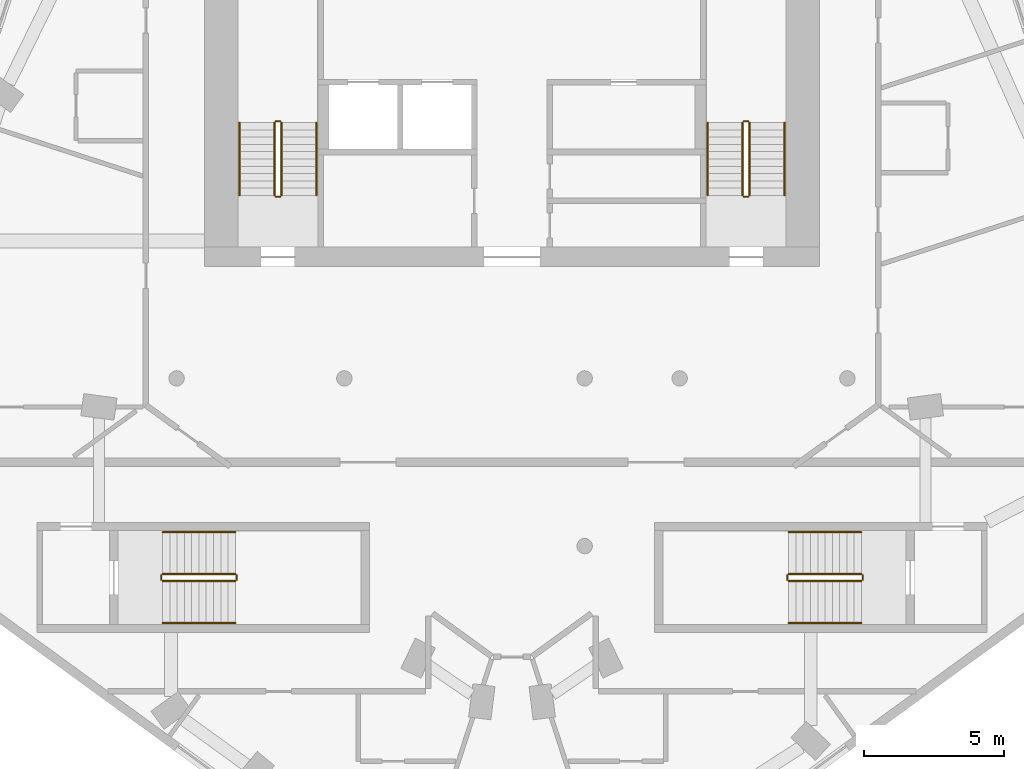
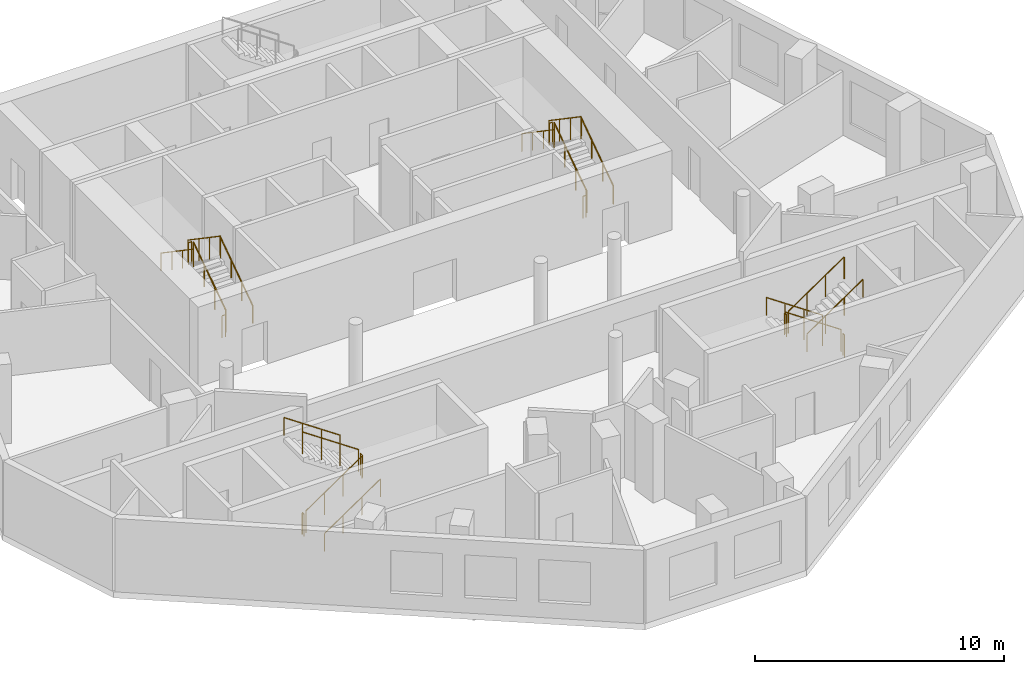
# One storey, part 7 of 8: 24 railings.
"""IFC4 building model written with IfcOpenShell, lengths in metres."""

from ifc_helpers import new_model, si_unit, direction, frame, origin, origin_2d, place, context, subcontext, project, spatial, circle, extrude, material, type_object, element, save


model = new_model("IFC4")

# Units and contexts
model_context = context("Model", 3, precision=1e-05, world=origin(), true_north=direction((0.0, 1.0)))
body_context = subcontext(model_context, "Body", "Model", "MODEL_VIEW")
ifc_project = project(units=[si_unit("LENGTHUNIT", "METRE"), si_unit("AREAUNIT", "SQUARE_METRE"), si_unit("VOLUMEUNIT", "CUBIC_METRE"), si_unit("PLANEANGLEUNIT", "RADIAN"), si_unit("MASSUNIT", "GRAM", prefix="KILO")], contexts=[model_context])

# Site, building, storey
site_placement = place(None, origin())
site = spatial("IfcSite", under=ifc_project, at=site_placement, CompositionType="ELEMENT")
building_placement = place(site_placement, origin())
building = spatial("IfcBuilding", under=site, at=building_placement, Name="White Candle Pilgrim Tower", CompositionType="ELEMENT")
storey_placement = place(building_placement, frame((0.0, 0.0, 291.199951171875)))
storey = spatial("IfcBuildingStorey", under=building, at=storey_placement, Name="L69", CompositionType="ELEMENT", Elevation=291.199951171875)

# Railings
ifc_material = material(Name="Stainless steel", Category="steel")
railing_type_1 = type_object("IfcRailingType", Name="Stair guard stainless steel 1100 mm", PredefinedType="GUARDRAIL", material=ifc_material)
railing_1_placement = place(storey_placement, frame((61.75, 73.550048828125, 0.17724609375)))
element("IfcRailing", 1, at=railing_1_placement, inside=storey, type_object=railing_type_1, Name="L69 ST1 stair guard 1", PredefinedType="GUARDRAIL", context=body_context, shape_type="SweptSolid", body=[
    extrude(circle(Radius=0.02392578125, at=origin_2d()), frame((0.0, 0.0, 1.076171875), z_axis=(0.0, 0.826215852431, 0.563353676824), x_axis=(-1.0, 0.0, 0.0)), (0.0, 0.0, 1.0), 3.146728515625),
    extrude(circle(Radius=0.02099609375, at=origin_2d()), origin(), (0.0, 0.0, 1.0), 1.052001953125),
    extrude(circle(Radius=0.02099609375, at=origin_2d()), frame((0.0, 0.86669921875, 0.5908203125)), (0.0, 0.0, 1.0), 1.052001953125),
    extrude(circle(Radius=0.02099609375, at=origin_2d()), frame((0.0, 1.733154296875, 1.181884765625)), (0.0, 0.0, 1.0), 1.052001953125),
    extrude(circle(Radius=0.02099609375, at=origin_2d()), frame((0.0, 2.599853515625, 1.772705078125)), (0.0, 0.0, 1.0), 1.052001953125),
])
railing_2_placement = place(storey_placement, frame((61.699951171875, 76.199951171875, 1.949951171875)))
element("IfcRailing", 2, at=railing_2_placement, inside=storey, type_object=railing_type_1, Name="L69 ST1 stair guard 2", PredefinedType="GUARDRAIL", context=body_context, shape_type="SweptSolid", body=[
    extrude(circle(Radius=0.02392578125, at=origin_2d()), frame((0.0, 0.0, 1.076171875), z_axis=(-1.0, 0.0, 0.0), x_axis=(0.0, -1.0, 0.0)), (0.0, 0.0, 1.0), 0.14990234375),
    extrude(circle(Radius=0.02099609375, at=origin_2d()), origin(), (0.0, 0.0, 1.0), 1.052001953125),
    extrude(circle(Radius=0.02099609375, at=origin_2d()), frame((-0.14990234375, 0.0, 0.0)), (0.0, 0.0, 1.0), 1.052001953125),
])
railing_3_placement = place(storey_placement, frame((61.5, 76.14990234375, 2.12744140625)))
element("IfcRailing", 3, at=railing_3_placement, inside=storey, type_object=railing_type_1, Name="L69 ST1 stair guard 3", PredefinedType="GUARDRAIL", context=body_context, shape_type="SweptSolid", body=[
    extrude(circle(Radius=0.02392578125, at=origin_2d()), frame((0.0, 0.0, 1.076171875), z_axis=(0.0, -0.826215852431, 0.563353676824), x_axis=(1.0, 0.0, 0.0)), (0.0, 0.0, 1.0), 3.146728515625),
    extrude(circle(Radius=0.02099609375, at=origin_2d()), origin(), (0.0, 0.0, 1.0), 1.052001953125),
    extrude(circle(Radius=0.02099609375, at=origin_2d()), frame((0.0, -0.86669921875, 0.5908203125)), (0.0, 0.0, 1.0), 1.052001953125),
    extrude(circle(Radius=0.02099609375, at=origin_2d()), frame((0.0, -1.733154296875, 1.181884765625)), (0.0, 0.0, 1.0), 1.052001953125),
    extrude(circle(Radius=0.02099609375, at=origin_2d()), frame((0.0, -2.599853515625, 1.772705078125)), (0.0, 0.0, 1.0), 1.052001953125),
])
railing_4_placement = place(storey_placement, frame((61.699951171875, 73.5, 0.0)))
element("IfcRailing", 4, at=railing_4_placement, inside=storey, type_object=railing_type_1, Name="L69 ST1 stair guard 4", PredefinedType="GUARDRAIL", context=body_context, shape_type="SweptSolid", body=[
    extrude(circle(Radius=0.02392578125, at=origin_2d()), frame((0.0, 0.0, 1.076171875), z_axis=(-1.0, 0.0, 0.0), x_axis=(0.0, -1.0, 0.0)), (0.0, 0.0, 1.0), 0.14990234375),
    extrude(circle(Radius=0.02099609375, at=origin_2d()), origin(), (0.0, 0.0, 1.0), 1.052001953125),
    extrude(circle(Radius=0.02099609375, at=origin_2d()), frame((-0.14990234375, 0.0, 0.0)), (0.0, 0.0, 1.0), 1.052001953125),
])
railing_5_placement = place(storey_placement, frame((78.5, 73.550048828125, 0.17724609375)))
element("IfcRailing", 5, at=railing_5_placement, inside=storey, type_object=railing_type_1, Name="L69 ST2 stair guard 1", PredefinedType="GUARDRAIL", context=body_context, shape_type="SweptSolid", body=[
    extrude(circle(Radius=0.02392578125, at=origin_2d()), frame((0.0, 0.0, 1.076171875), z_axis=(0.0, 0.826215852431, 0.563353676824), x_axis=(-1.0, 0.0, 0.0)), (0.0, 0.0, 1.0), 3.146728515625),
    extrude(circle(Radius=0.02099609375, at=origin_2d()), origin(), (0.0, 0.0, 1.0), 1.052001953125),
    extrude(circle(Radius=0.02099609375, at=origin_2d()), frame((0.0, 0.86669921875, 0.5908203125)), (0.0, 0.0, 1.0), 1.052001953125),
    extrude(circle(Radius=0.02099609375, at=origin_2d()), frame((0.0, 1.733154296875, 1.181884765625)), (0.0, 0.0, 1.0), 1.052001953125),
    extrude(circle(Radius=0.02099609375, at=origin_2d()), frame((0.0, 2.599853515625, 1.772705078125)), (0.0, 0.0, 1.0), 1.052001953125),
])
railing_6_placement = place(storey_placement, frame((78.449951171875, 76.199951171875, 1.949951171875)))
element("IfcRailing", 6, at=railing_6_placement, inside=storey, type_object=railing_type_1, Name="L69 ST2 stair guard 2", PredefinedType="GUARDRAIL", context=body_context, shape_type="SweptSolid", body=[
    extrude(circle(Radius=0.02392578125, at=origin_2d()), frame((0.0, 0.0, 1.076171875), z_axis=(-1.0, 0.0, 0.0), x_axis=(0.0, -1.0, 0.0)), (0.0, 0.0, 1.0), 0.14990234375),
    extrude(circle(Radius=0.02099609375, at=origin_2d()), origin(), (0.0, 0.0, 1.0), 1.052001953125),
    extrude(circle(Radius=0.02099609375, at=origin_2d()), frame((-0.14990234375, 0.0, 0.0)), (0.0, 0.0, 1.0), 1.052001953125),
])
railing_7_placement = place(storey_placement, frame((78.25, 76.14990234375, 2.12744140625)))
element("IfcRailing", 7, at=railing_7_placement, inside=storey, type_object=railing_type_1, Name="L69 ST2 stair guard 3", PredefinedType="GUARDRAIL", context=body_context, shape_type="SweptSolid", body=[
    extrude(circle(Radius=0.02392578125, at=origin_2d()), frame((0.0, 0.0, 1.076171875), z_axis=(0.0, -0.826215852431, 0.563353676824), x_axis=(1.0, 0.0, 0.0)), (0.0, 0.0, 1.0), 3.146728515625),
    extrude(circle(Radius=0.02099609375, at=origin_2d()), origin(), (0.0, 0.0, 1.0), 1.052001953125),
    extrude(circle(Radius=0.02099609375, at=origin_2d()), frame((0.0, -0.86669921875, 0.5908203125)), (0.0, 0.0, 1.0), 1.052001953125),
    extrude(circle(Radius=0.02099609375, at=origin_2d()), frame((0.0, -1.733154296875, 1.181884765625)), (0.0, 0.0, 1.0), 1.052001953125),
    extrude(circle(Radius=0.02099609375, at=origin_2d()), frame((0.0, -2.599853515625, 1.772705078125)), (0.0, 0.0, 1.0), 1.052001953125),
])
railing_8_placement = place(storey_placement, frame((78.449951171875, 73.5, 0.0)))
element("IfcRailing", 8, at=railing_8_placement, inside=storey, type_object=railing_type_1, Name="L69 ST2 stair guard 4", PredefinedType="GUARDRAIL", context=body_context, shape_type="SweptSolid", body=[
    extrude(circle(Radius=0.02392578125, at=origin_2d()), frame((0.0, 0.0, 1.076171875), z_axis=(-1.0, 0.0, 0.0), x_axis=(0.0, -1.0, 0.0)), (0.0, 0.0, 1.0), 0.14990234375),
    extrude(circle(Radius=0.02099609375, at=origin_2d()), origin(), (0.0, 0.0, 1.0), 1.052001953125),
    extrude(circle(Radius=0.02099609375, at=origin_2d()), frame((-0.14990234375, 0.0, 0.0)), (0.0, 0.0, 1.0), 1.052001953125),
])
railing_9_placement = place(storey_placement, frame((82.5, 60.0, 0.17724609375)))
element("IfcRailing", 9, at=railing_9_placement, inside=storey, type_object=railing_type_1, Name="L69 ST4 stair guard 1", PredefinedType="GUARDRAIL", context=body_context, shape_type="SweptSolid", body=[
    extrude(circle(Radius=0.02392578125, at=origin_2d()), frame((0.0, 0.0, 1.076171875), z_axis=(-0.826240473404, 0.0, 0.563317565952), x_axis=(0.0, -1.0, 0.0)), (0.0, 0.0, 1.0), 3.14697265625),
    extrude(circle(Radius=0.02099609375, at=origin_2d()), origin(), (0.0, 0.0, 1.0), 1.052001953125),
    extrude(circle(Radius=0.02099609375, at=origin_2d()), frame((-0.86669921875, 0.0, 0.5908203125)), (0.0, 0.0, 1.0), 1.052001953125),
    extrude(circle(Radius=0.02099609375, at=origin_2d()), frame((-1.7333984375, 0.0, 1.181884765625)), (0.0, 0.0, 1.0), 1.052001953125),
    extrude(circle(Radius=0.02099609375, at=origin_2d()), frame((-2.60009765625, 0.0, 1.772705078125)), (0.0, 0.0, 1.0), 1.052001953125),
])
railing_10_placement = place(storey_placement, frame((79.85009765625, 59.949951171875, 1.949951171875)))
element("IfcRailing", 10, at=railing_10_placement, inside=storey, type_object=railing_type_1, Name="L69 ST4 stair guard 2", PredefinedType="GUARDRAIL", context=body_context, shape_type="SweptSolid", body=[
    extrude(circle(Radius=0.02392578125, at=origin_2d()), frame((0.0, 0.0, 1.076171875), z_axis=(0.0, -1.0, 0.0), x_axis=(1.0, 0.0, 0.0)), (0.0, 0.0, 1.0), 0.14990234375),
    extrude(circle(Radius=0.02099609375, at=origin_2d()), origin(), (0.0, 0.0, 1.0), 1.052001953125),
    extrude(circle(Radius=0.02099609375, at=origin_2d()), frame((0.0, -0.14990234375, 0.0)), (0.0, 0.0, 1.0), 1.052001953125),
])
railing_11_placement = place(storey_placement, frame((79.89990234375, 59.75, 2.12744140625)))
element("IfcRailing", 11, at=railing_11_placement, inside=storey, type_object=railing_type_1, Name="L69 ST4 stair guard 3", PredefinedType="GUARDRAIL", context=body_context, shape_type="SweptSolid", body=[
    extrude(circle(Radius=0.02392578125, at=origin_2d()), frame((0.0, 0.0, 1.076171875), z_axis=(0.826240473404, 0.0, 0.563317565952), x_axis=(0.0, 1.0, 0.0)), (0.0, 0.0, 1.0), 3.14697265625),
    extrude(circle(Radius=0.02099609375, at=origin_2d()), origin(), (0.0, 0.0, 1.0), 1.052001953125),
    extrude(circle(Radius=0.02099609375, at=origin_2d()), frame((0.86669921875, 0.0, 0.5908203125)), (0.0, 0.0, 1.0), 1.052001953125),
    extrude(circle(Radius=0.02099609375, at=origin_2d()), frame((1.7333984375, 0.0, 1.181884765625)), (0.0, 0.0, 1.0), 1.052001953125),
    extrude(circle(Radius=0.02099609375, at=origin_2d()), frame((2.60009765625, 0.0, 1.772705078125)), (0.0, 0.0, 1.0), 1.052001953125),
])
railing_12_placement = place(storey_placement, frame((82.550048828125, 59.949951171875, 0.0)))
element("IfcRailing", 12, at=railing_12_placement, inside=storey, type_object=railing_type_1, Name="L69 ST4 stair guard 4", PredefinedType="GUARDRAIL", context=body_context, shape_type="SweptSolid", body=[
    extrude(circle(Radius=0.02392578125, at=origin_2d()), frame((0.0, 0.0, 1.076171875), z_axis=(0.0, -1.0, 0.0), x_axis=(1.0, 0.0, 0.0)), (0.0, 0.0, 1.0), 0.14990234375),
    extrude(circle(Radius=0.02099609375, at=origin_2d()), origin(), (0.0, 0.0, 1.0), 1.052001953125),
    extrude(circle(Radius=0.02099609375, at=origin_2d()), frame((0.0, -0.14990234375, 0.0)), (0.0, 0.0, 1.0), 1.052001953125),
])
railing_13_placement = place(storey_placement, frame((57.5, 59.75, 0.17724609375)))
element("IfcRailing", 13, at=railing_13_placement, inside=storey, type_object=railing_type_1, Name="L69 ST5 stair guard 1", PredefinedType="GUARDRAIL", context=body_context, shape_type="SweptSolid", body=[
    extrude(circle(Radius=0.02392578125, at=origin_2d()), frame((0.0, 0.0, 1.076171875), z_axis=(0.826240473404, 0.0, 0.563317565952), x_axis=(0.0, 1.0, 0.0)), (0.0, 0.0, 1.0), 3.14697265625),
    extrude(circle(Radius=0.02099609375, at=origin_2d()), origin(), (0.0, 0.0, 1.0), 1.052001953125),
    extrude(circle(Radius=0.02099609375, at=origin_2d()), frame((0.86669921875, 0.0, 0.5908203125)), (0.0, 0.0, 1.0), 1.052001953125),
    extrude(circle(Radius=0.02099609375, at=origin_2d()), frame((1.7333984375, 0.0, 1.181884765625)), (0.0, 0.0, 1.0), 1.052001953125),
    extrude(circle(Radius=0.02099609375, at=origin_2d()), frame((2.60009765625, 0.0, 1.772705078125)), (0.0, 0.0, 1.0), 1.052001953125),
])
railing_14_placement = place(storey_placement, frame((60.14990234375, 59.800048828125, 1.949951171875)))
element("IfcRailing", 14, at=railing_14_placement, inside=storey, type_object=railing_type_1, Name="L69 ST5 stair guard 2", PredefinedType="GUARDRAIL", context=body_context, shape_type="SweptSolid", body=[
    extrude(circle(Radius=0.02392578125, at=origin_2d()), frame((0.0, 0.0, 1.076171875), z_axis=(0.0, 1.0, 0.0), x_axis=(-1.0, 0.0, 0.0)), (0.0, 0.0, 1.0), 0.14990234375),
    extrude(circle(Radius=0.02099609375, at=origin_2d()), origin(), (0.0, 0.0, 1.0), 1.052001953125),
    extrude(circle(Radius=0.02099609375, at=origin_2d()), frame((0.0, 0.14990234375, 0.0)), (0.0, 0.0, 1.0), 1.052001953125),
])
railing_15_placement = place(storey_placement, frame((60.10009765625, 60.0, 2.12744140625)))
element("IfcRailing", 15, at=railing_15_placement, inside=storey, type_object=railing_type_1, Name="L69 ST5 stair guard 3", PredefinedType="GUARDRAIL", context=body_context, shape_type="SweptSolid", body=[
    extrude(circle(Radius=0.02392578125, at=origin_2d()), frame((0.0, 0.0, 1.076171875), z_axis=(-0.826240473404, 0.0, 0.563317565952), x_axis=(0.0, -1.0, 0.0)), (0.0, 0.0, 1.0), 3.14697265625),
    extrude(circle(Radius=0.02099609375, at=origin_2d()), origin(), (0.0, 0.0, 1.0), 1.052001953125),
    extrude(circle(Radius=0.02099609375, at=origin_2d()), frame((-0.86669921875, 0.0, 0.5908203125)), (0.0, 0.0, 1.0), 1.052001953125),
    extrude(circle(Radius=0.02099609375, at=origin_2d()), frame((-1.7333984375, 0.0, 1.181884765625)), (0.0, 0.0, 1.0), 1.052001953125),
    extrude(circle(Radius=0.02099609375, at=origin_2d()), frame((-2.60009765625, 0.0, 1.772705078125)), (0.0, 0.0, 1.0), 1.052001953125),
])
railing_16_placement = place(storey_placement, frame((57.449951171875, 59.800048828125, 0.0)))
element("IfcRailing", 16, at=railing_16_placement, inside=storey, type_object=railing_type_1, Name="L69 ST5 stair guard 4", PredefinedType="GUARDRAIL", context=body_context, shape_type="SweptSolid", body=[
    extrude(circle(Radius=0.02392578125, at=origin_2d()), frame((0.0, 0.0, 1.076171875), z_axis=(0.0, 1.0, 0.0), x_axis=(-1.0, 0.0, 0.0)), (0.0, 0.0, 1.0), 0.14990234375),
    extrude(circle(Radius=0.02099609375, at=origin_2d()), origin(), (0.0, 0.0, 1.0), 1.052001953125),
    extrude(circle(Radius=0.02099609375, at=origin_2d()), frame((0.0, 0.14990234375, 0.0)), (0.0, 0.0, 1.0), 1.052001953125),
])
railing_type_2 = type_object("IfcRailingType", Name="Stair handrail stainless steel", PredefinedType="HANDRAIL", material=ifc_material)
railing_17_placement = place(storey_placement, frame((63.0, 73.550048828125, 0.17724609375)))
element("IfcRailing", 17, at=railing_17_placement, inside=storey, type_object=railing_type_2, Name="L69 ST1 stair handrail 1", PredefinedType="HANDRAIL", context=body_context, shape_type="SweptSolid", body=[
    extrude(circle(Radius=0.02392578125, at=origin_2d()), frame((0.0, 0.0, 0.8759765625), z_axis=(0.0, 0.826215852431, 0.563353676824), x_axis=(-1.0, 0.0, 0.0)), (0.0, 0.0, 1.0), 3.146728515625),
    extrude(circle(Radius=0.02099609375, at=origin_2d()), origin(), (0.0, 0.0, 1.0), 0.851806640625),
    extrude(circle(Radius=0.02099609375, at=origin_2d()), frame((0.0, 0.86669921875, 0.5908203125)), (0.0, 0.0, 1.0), 0.851806640625),
    extrude(circle(Radius=0.02099609375, at=origin_2d()), frame((0.0, 1.733154296875, 1.181884765625)), (0.0, 0.0, 1.0), 0.851806640625),
    extrude(circle(Radius=0.02099609375, at=origin_2d()), frame((0.0, 2.599853515625, 1.772705078125)), (0.0, 0.0, 1.0), 0.851806640625),
])
railing_18_placement = place(storey_placement, frame((60.25, 76.14990234375, 2.12744140625)))
element("IfcRailing", 18, at=railing_18_placement, inside=storey, type_object=railing_type_2, Name="L69 ST1 stair handrail 2", PredefinedType="HANDRAIL", context=body_context, shape_type="SweptSolid", body=[
    extrude(circle(Radius=0.02392578125, at=origin_2d()), frame((0.0, 0.0, 0.8759765625), z_axis=(0.0, -0.826215852431, 0.563353676824), x_axis=(1.0, 0.0, 0.0)), (0.0, 0.0, 1.0), 3.146728515625),
    extrude(circle(Radius=0.02099609375, at=origin_2d()), origin(), (0.0, 0.0, 1.0), 0.851806640625),
    extrude(circle(Radius=0.02099609375, at=origin_2d()), frame((0.0, -0.86669921875, 0.5908203125)), (0.0, 0.0, 1.0), 0.851806640625),
    extrude(circle(Radius=0.02099609375, at=origin_2d()), frame((0.0, -1.733154296875, 1.181884765625)), (0.0, 0.0, 1.0), 0.851806640625),
    extrude(circle(Radius=0.02099609375, at=origin_2d()), frame((0.0, -2.599853515625, 1.772705078125)), (0.0, 0.0, 1.0), 0.851806640625),
])
railing_19_placement = place(storey_placement, frame((79.75, 73.550048828125, 0.17724609375)))
element("IfcRailing", 19, at=railing_19_placement, inside=storey, type_object=railing_type_2, Name="L69 ST2 stair handrail 1", PredefinedType="HANDRAIL", context=body_context, shape_type="SweptSolid", body=[
    extrude(circle(Radius=0.02392578125, at=origin_2d()), frame((0.0, 0.0, 0.8759765625), z_axis=(0.0, 0.826215852431, 0.563353676824), x_axis=(-1.0, 0.0, 0.0)), (0.0, 0.0, 1.0), 3.146728515625),
    extrude(circle(Radius=0.02099609375, at=origin_2d()), origin(), (0.0, 0.0, 1.0), 0.851806640625),
    extrude(circle(Radius=0.02099609375, at=origin_2d()), frame((0.0, 0.86669921875, 0.5908203125)), (0.0, 0.0, 1.0), 0.851806640625),
    extrude(circle(Radius=0.02099609375, at=origin_2d()), frame((0.0, 1.733154296875, 1.181884765625)), (0.0, 0.0, 1.0), 0.851806640625),
    extrude(circle(Radius=0.02099609375, at=origin_2d()), frame((0.0, 2.599853515625, 1.772705078125)), (0.0, 0.0, 1.0), 0.851806640625),
])
railing_20_placement = place(storey_placement, frame((77.0, 76.14990234375, 2.12744140625)))
element("IfcRailing", 20, at=railing_20_placement, inside=storey, type_object=railing_type_2, Name="L69 ST2 stair handrail 2", PredefinedType="HANDRAIL", context=body_context, shape_type="SweptSolid", body=[
    extrude(circle(Radius=0.02392578125, at=origin_2d()), frame((0.0, 0.0, 0.8759765625), z_axis=(0.0, -0.826215852431, 0.563353676824), x_axis=(1.0, 0.0, 0.0)), (0.0, 0.0, 1.0), 3.146728515625),
    extrude(circle(Radius=0.02099609375, at=origin_2d()), origin(), (0.0, 0.0, 1.0), 0.851806640625),
    extrude(circle(Radius=0.02099609375, at=origin_2d()), frame((0.0, -0.86669921875, 0.5908203125)), (0.0, 0.0, 1.0), 0.851806640625),
    extrude(circle(Radius=0.02099609375, at=origin_2d()), frame((0.0, -1.733154296875, 1.181884765625)), (0.0, 0.0, 1.0), 0.851806640625),
    extrude(circle(Radius=0.02099609375, at=origin_2d()), frame((0.0, -2.599853515625, 1.772705078125)), (0.0, 0.0, 1.0), 0.851806640625),
])
railing_21_placement = place(storey_placement, frame((82.5, 61.5, 0.17724609375)))
element("IfcRailing", 21, at=railing_21_placement, inside=storey, type_object=railing_type_2, Name="L69 ST4 stair handrail 1", PredefinedType="HANDRAIL", context=body_context, shape_type="SweptSolid", body=[
    extrude(circle(Radius=0.02392578125, at=origin_2d()), frame((0.0, 0.0, 0.8759765625), z_axis=(-0.826240473404, 0.0, 0.563317565952), x_axis=(0.0, -1.0, 0.0)), (0.0, 0.0, 1.0), 3.14697265625),
    extrude(circle(Radius=0.02099609375, at=origin_2d()), origin(), (0.0, 0.0, 1.0), 0.851806640625),
    extrude(circle(Radius=0.02099609375, at=origin_2d()), frame((-0.86669921875, 0.0, 0.5908203125)), (0.0, 0.0, 1.0), 0.851806640625),
    extrude(circle(Radius=0.02099609375, at=origin_2d()), frame((-1.7333984375, 0.0, 1.181884765625)), (0.0, 0.0, 1.0), 0.851806640625),
    extrude(circle(Radius=0.02099609375, at=origin_2d()), frame((-2.60009765625, 0.0, 1.772705078125)), (0.0, 0.0, 1.0), 0.851806640625),
])
for number, where, name in (
    (22, (79.89990234375, 58.25, 2.12744140625), "L69 ST4 stair handrail 2"),
    (23, (57.5, 58.25, 0.17724609375), "L69 ST5 stair handrail 1"),
):
    element("IfcRailing", number, at=place(storey_placement, frame(where)), inside=storey, type_object=railing_type_2, Name=name, PredefinedType="HANDRAIL", context=body_context, shape_type="SweptSolid", body=[
        extrude(circle(Radius=0.02392578125, at=origin_2d()), frame((0.0, 0.0, 0.8759765625), z_axis=(0.826240473404, 0.0, 0.563317565952), x_axis=(0.0, 1.0, 0.0)), (0.0, 0.0, 1.0), 3.14697265625),
        extrude(circle(Radius=0.02099609375, at=origin_2d()), origin(), (0.0, 0.0, 1.0), 0.851806640625),
        extrude(circle(Radius=0.02099609375, at=origin_2d()), frame((0.86669921875, 0.0, 0.5908203125)), (0.0, 0.0, 1.0), 0.851806640625),
        extrude(circle(Radius=0.02099609375, at=origin_2d()), frame((1.7333984375, 0.0, 1.181884765625)), (0.0, 0.0, 1.0), 0.851806640625),
        extrude(circle(Radius=0.02099609375, at=origin_2d()), frame((2.60009765625, 0.0, 1.772705078125)), (0.0, 0.0, 1.0), 0.851806640625),
    ])
railing_22_placement = place(storey_placement, frame((60.10009765625, 61.5, 2.12744140625)))
element("IfcRailing", 24, at=railing_22_placement, inside=storey, type_object=railing_type_2, Name="L69 ST5 stair handrail 2", PredefinedType="HANDRAIL", context=body_context, shape_type="SweptSolid", body=[
    extrude(circle(Radius=0.02392578125, at=origin_2d()), frame((0.0, 0.0, 0.8759765625), z_axis=(-0.826240473404, 0.0, 0.563317565952), x_axis=(0.0, -1.0, 0.0)), (0.0, 0.0, 1.0), 3.14697265625),
    extrude(circle(Radius=0.02099609375, at=origin_2d()), origin(), (0.0, 0.0, 1.0), 0.851806640625),
    extrude(circle(Radius=0.02099609375, at=origin_2d()), frame((-0.86669921875, 0.0, 0.5908203125)), (0.0, 0.0, 1.0), 0.851806640625),
    extrude(circle(Radius=0.02099609375, at=origin_2d()), frame((-1.7333984375, 0.0, 1.181884765625)), (0.0, 0.0, 1.0), 0.851806640625),
    extrude(circle(Radius=0.02099609375, at=origin_2d()), frame((-2.60009765625, 0.0, 1.772705078125)), (0.0, 0.0, 1.0), 0.851806640625),
])

save(model, "model.ifc")
